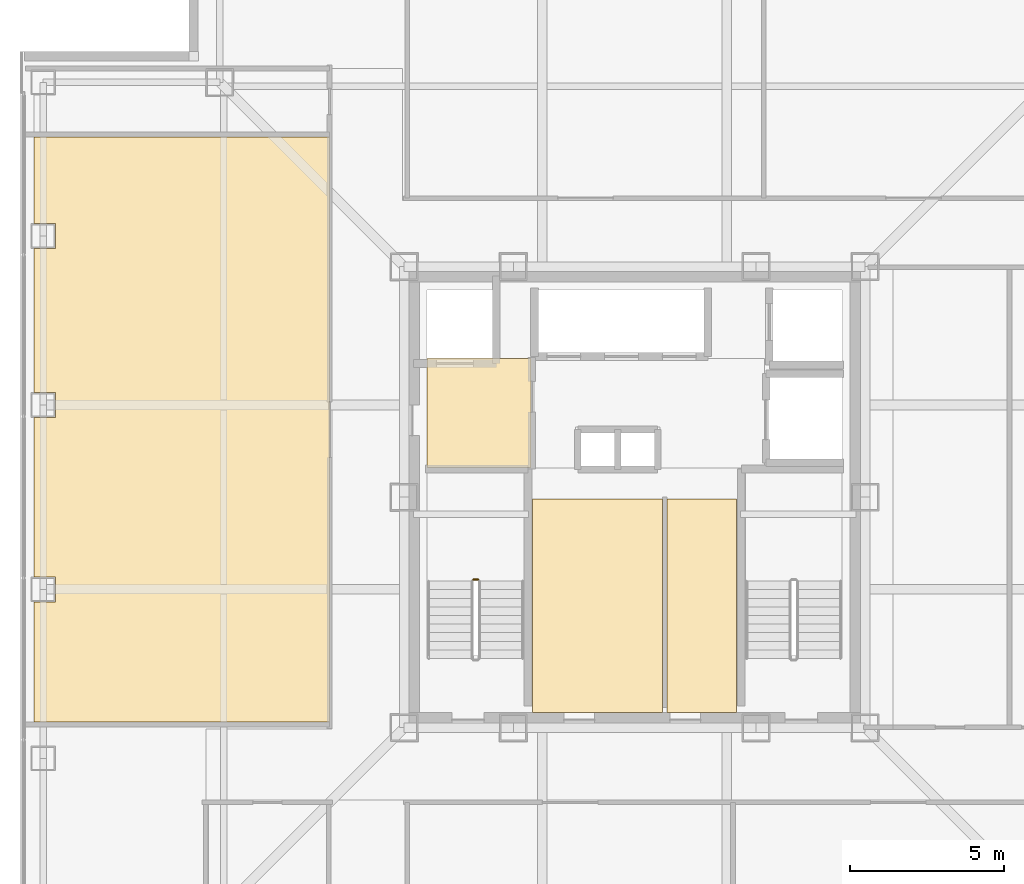
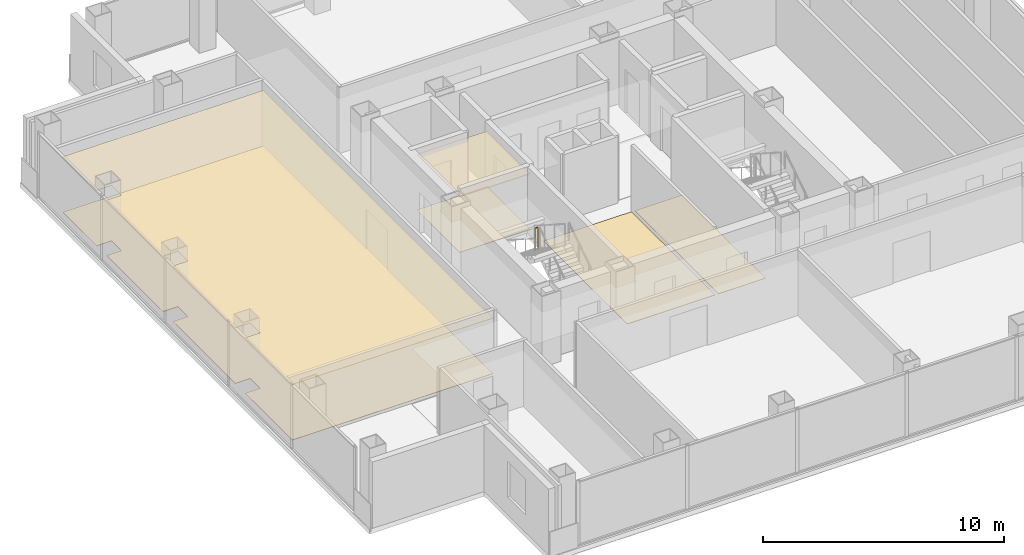
# One storey, part 15 of 18: 6 coverings, 1 railing.
"""IFC4 building model written with IfcOpenShell, lengths in metres."""

from ifc_helpers import new_model, si_unit, direction, frame, origin, origin_2d, place, context, subcontext, project, spatial, polyline, circle, outline, extrude, material, layer, layer_set, type_object, element, save


model = new_model("IFC4")

# Units and contexts
model_context = context("Model", 3, precision=1e-05, world=origin(), true_north=direction((0.0, 1.0)))
body_context = subcontext(model_context, "Body", "Model", "MODEL_VIEW")
ifc_project = project(units=[si_unit("LENGTHUNIT", "METRE"), si_unit("AREAUNIT", "SQUARE_METRE"), si_unit("VOLUMEUNIT", "CUBIC_METRE"), si_unit("PLANEANGLEUNIT", "RADIAN"), si_unit("MASSUNIT", "GRAM", prefix="KILO")], contexts=[model_context])

# Site, building, storey
site_placement = place(None, origin())
site = spatial("IfcSite", under=ifc_project, at=site_placement, CompositionType="ELEMENT")
building_placement = place(site_placement, origin())
building = spatial("IfcBuilding", under=site, at=building_placement, Name="Trevonay Congress Spire", CompositionType="ELEMENT")
storey_placement = place(building_placement, frame((0.0, 0.0, 198.60009765625)))
storey = spatial("IfcBuildingStorey", under=building, at=storey_placement, Name="L51", CompositionType="ELEMENT", Elevation=198.60009765625)

# Coverings
ifc_material_1 = material(Name="Acoustic Mineral Fibre Board", Category="gypsum")
ifc_layer_1 = layer(ifc_material_1, 0.02490234375, Name="Acoustic Mineral Fibre Board")
ifc_layer_set_1 = layer_set([ifc_layer_1], Name="Acoustic Mineral Fibre Board")
covering_type_1 = type_object("IfcCoveringType", Name="COV-CEIL-ACOUSTIC", PredefinedType="CEILING", material=ifc_layer_set_1)
covering_1_placement = place(storey_placement, frame((0.0, 0.0, 2.809814453125)))
element("IfcCovering", 1, at=covering_1_placement, inside=storey, type_object=covering_type_1, Name="L51 Firefighting Lift Lobby West acoustic suspended ceiling", PredefinedType="CEILING", context=body_context, shape_type="SweptSolid", body=[
    extrude(outline(polyline([(-6.75, 0.9599609375), (-3.3798828125, 0.9599609375), (-3.3798828125, 4.52001953125), (-6.75, 4.52001953125), (-6.75, 0.9599609375)])), origin(), (0.0, 0.0, 1.0), 0.025146484375),
])
covering_2_placement = place(storey_placement, frame((0.0, 0.0, 2.809814453125)))
element("IfcCovering", 2, at=covering_2_placement, inside=storey, type_object=covering_type_1, Name="L51 Harbour View Grand Banquet Dining Room acoustic suspended ceiling", PredefinedType="CEILING", context=body_context, shape_type="SweptSolid", body=[
    extrude(outline(polyline([(-19.550048828125, 11.719970703125), (-9.929931640625, 11.719970703125), (-9.929931640625, -7.320068359375), (-19.550048828125, -7.320068359375), (-19.550048828125, -3.409912109375), (-18.840087890625, -3.409912109375), (-18.840087890625, -2.590087890625), (-19.550048828125, -2.590087890625), (-19.550048828125, 2.590087890625), (-18.840087890625, 2.590087890625), (-18.840087890625, 3.409912109375), (-19.550048828125, 3.409912109375), (-19.550048828125, 8.090087890625), (-18.840087890625, 8.090087890625), (-18.840087890625, 8.909912109375), (-19.550048828125, 8.909912109375), (-19.550048828125, 11.719970703125)])), origin(), (0.0, 0.0, 1.0), 0.025146484375),
])
ifc_material_2 = material(Name="Polished Granite Floor Tile", Category="masonry")
ifc_layer_2 = layer(ifc_material_2, 0.02001953125, Name="Polished Granite Floor Tile")
ifc_layer_set_2 = layer_set([ifc_layer_2], Name="Polished Granite Floor Tile")
covering_type_2 = type_object("IfcCoveringType", Name="COV-FLOOR-STONE", PredefinedType="FLOORING", material=ifc_layer_set_2)
covering_3_placement = place(storey_placement, origin())
element("IfcCovering", 3, at=covering_3_placement, inside=storey, type_object=covering_type_2, Name="L51 Firefighting Lift Lobby West floor finish", PredefinedType="FLOORING", context=body_context, shape_type="SweptSolid", body=[
    extrude(outline(polyline([(-6.75, 0.9599609375), (-3.3798828125, 0.9599609375), (-3.3798828125, 4.52001953125), (-6.75, 4.52001953125), (-6.75, 0.9599609375)])), origin(), (0.0, 0.0, 1.0), 0.02001953125),
])
covering_4_placement = place(storey_placement, origin())
element("IfcCovering", 4, at=covering_4_placement, inside=storey, type_object=covering_type_2, Name="L51 Translation Equipment Hub floor finish", PredefinedType="FLOORING", context=body_context, shape_type="SweptSolid", body=[
    extrude(outline(polyline([(-3.320068359375, -7.0), (0.89990234375, -7.0), (0.89990234375, -0.050048828125), (-3.320068359375, -0.050048828125), (-3.320068359375, -7.0)])), origin(), (0.0, 0.0, 1.0), 0.02001953125),
])
covering_5_placement = place(storey_placement, origin())
element("IfcCovering", 5, at=covering_5_placement, inside=storey, type_object=covering_type_2, Name="L51 Floor Supplies Store floor finish", PredefinedType="FLOORING", context=body_context, shape_type="SweptSolid", body=[
    extrude(outline(polyline([(1.06005859375, -7.0), (3.320068359375, -7.0), (3.320068359375, -0.050048828125), (1.06005859375, -0.050048828125), (1.06005859375, -7.0)])), origin(), (0.0, 0.0, 1.0), 0.02001953125),
])
covering_6_placement = place(storey_placement, origin())
element("IfcCovering", 6, at=covering_6_placement, inside=storey, type_object=covering_type_2, Name="L51 Harbour View Grand Banquet Dining Room floor finish", PredefinedType="FLOORING", context=body_context, shape_type="SweptSolid", body=[
    extrude(outline(polyline([(-19.550048828125, 11.719970703125), (-9.929931640625, 11.719970703125), (-9.929931640625, -7.320068359375), (-19.550048828125, -7.320068359375), (-19.550048828125, -3.409912109375), (-18.840087890625, -3.409912109375), (-18.840087890625, -2.590087890625), (-19.550048828125, -2.590087890625), (-19.550048828125, 2.590087890625), (-18.840087890625, 2.590087890625), (-18.840087890625, 3.409912109375), (-19.550048828125, 3.409912109375), (-19.550048828125, 8.090087890625), (-18.840087890625, 8.090087890625), (-18.840087890625, 8.909912109375), (-19.550048828125, 8.909912109375), (-19.550048828125, 11.719970703125)])), origin(), (0.0, 0.0, 1.0), 0.02001953125),
])

# Railing
ifc_material_3 = material(Name="Pale Anodised Aluminium EN AW-6063-T6", Category="aluminium")
railing_type = type_object("IfcRailingType", Name="RAL-STAIR-GUARD-110", PredefinedType="GUARDRAIL", material=ifc_material_3)
railing_placement = place(storey_placement, frame((-5.10009765625, -2.679931640625, 1.7998046875)))
element("IfcRailing", 7, at=railing_placement, inside=storey, type_object=railing_type, Name="L51 ST-1 stair guard 2", PredefinedType="GUARDRAIL", context=body_context, shape_type="SweptSolid", body=[
    extrude(circle(Radius=0.02392578125, at=origin_2d()), frame((0.0, 0.0, 1.1259765625), z_axis=(-1.0, 0.0, 0.0), x_axis=(0.0, -1.0, 0.0)), (0.0, 0.0, 1.0), 0.14990234375),
    extrude(circle(Radius=0.02099609375, at=origin_2d()), origin(), (0.0, 0.0, 1.0), 1.101806640625),
    extrude(circle(Radius=0.02099609375, at=origin_2d()), frame((-0.14990234375, 0.0, 0.0)), (0.0, 0.0, 1.0), 1.101806640625),
])

save(model, "model.ifc")
